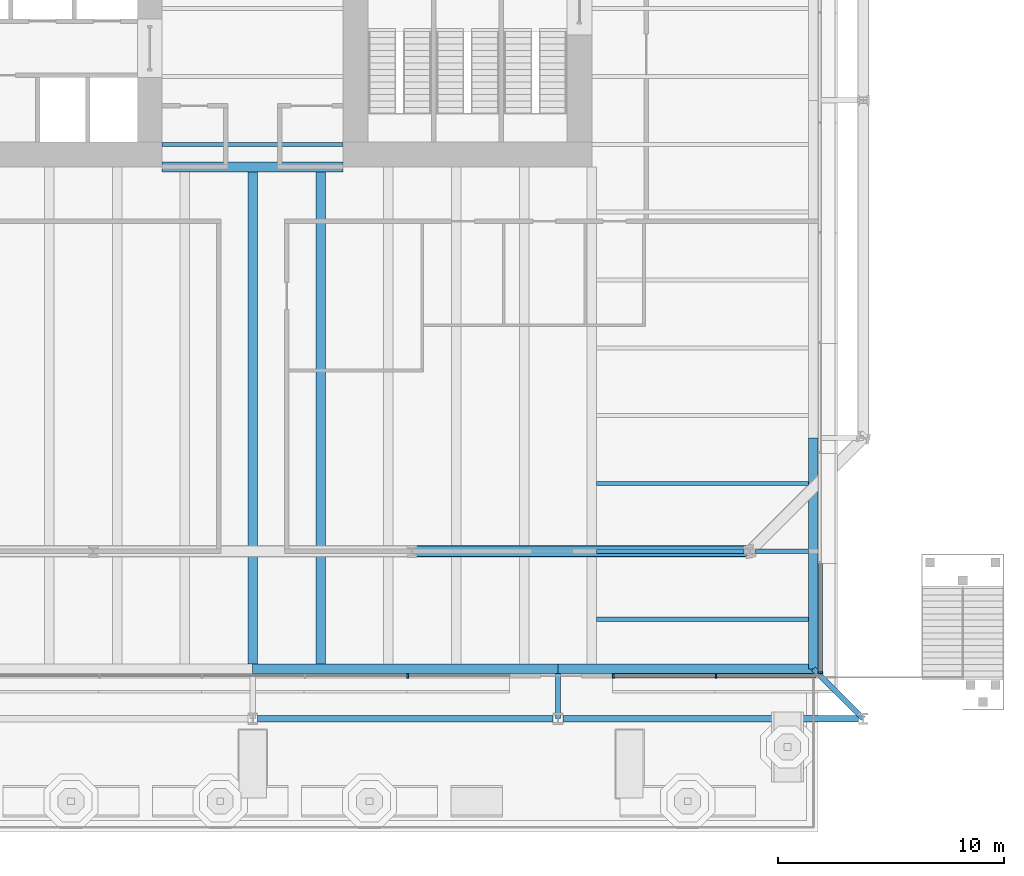
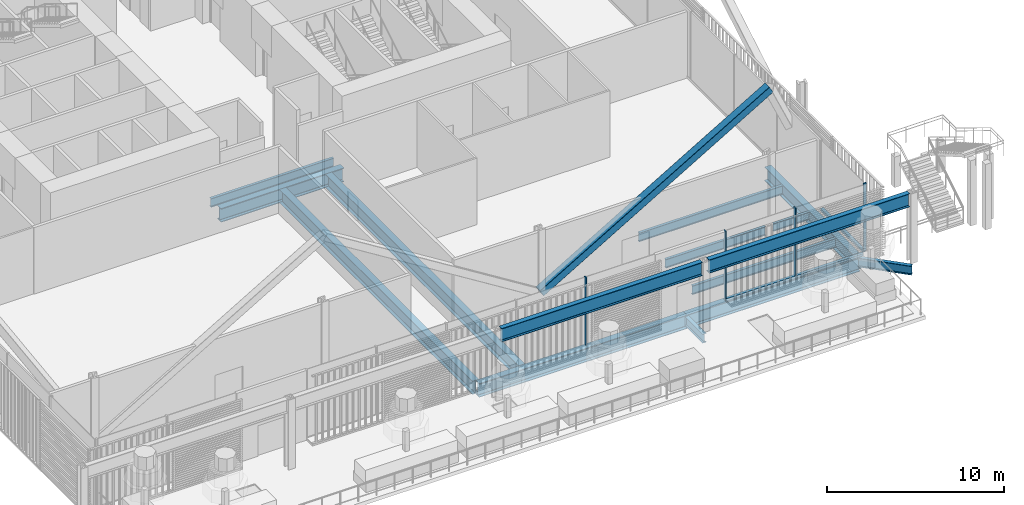
# One storey, part 5 of 26: 15 beams, 7 members, 2 elements without a shape of their own.
"""IFC4 building model written with IfcOpenShell, lengths in metres."""

from ifc_helpers import new_model, si_unit, direction, frame, origin, origin_2d, place, context, subcontext, project, spatial, rectangle, hollow_rectangle, i_section, extrude, material, layer, layer_set, material_profile, profile_set, type_object, element, aggregate, save


model = new_model("IFC4")

# Units and contexts
model_context = context("Model", 3, precision=1e-05, world=origin(), true_north=direction((0.0, 1.0)))
body_context = subcontext(model_context, "Body", "Model", "MODEL_VIEW")
ifc_project = project(units=[si_unit("LENGTHUNIT", "METRE"), si_unit("AREAUNIT", "SQUARE_METRE"), si_unit("VOLUMEUNIT", "CUBIC_METRE"), si_unit("PLANEANGLEUNIT", "RADIAN"), si_unit("MASSUNIT", "GRAM", prefix="KILO")], contexts=[model_context])

# Site, building, storey
site_placement = place(None, origin())
site = spatial("IfcSite", under=ifc_project, at=site_placement, CompositionType="ELEMENT")
building_placement = place(site_placement, origin())
building = spatial("IfcBuilding", under=site, at=building_placement, Name="Millrace Tower", CompositionType="ELEMENT")
storey_placement = place(building_placement, frame((0.0, 0.0, 11.300048828125)))
storey = spatial("IfcBuildingStorey", under=building, at=storey_placement, Name="L03", CompositionType="ELEMENT", Elevation=11.300048828125)

# Curtain wall, members
ifc_material_1 = material(Name="Aluminium and glass", Category="aluminium")
ifc_layer = layer(ifc_material_1, 0.199951171875)
ifc_layer_set = layer_set([ifc_layer], Name="Aluminium and glass")
curtain_wall_type = type_object("IfcCurtainWallType", Name="CW-6 lobby and cascade wing storefront", PredefinedType="NOTDEFINED", material=ifc_layer_set)
placement = place(storey_placement, origin())
curtain_wall_1 = element("IfcCurtainWall", 1, at=placement, inside=storey, type_object=curtain_wall_type, Name="Curtain wall AW3-F01 L03", PredefinedType="NOTDEFINED")
ifc_material_2 = material(Name="Aluminium", Category="aluminium")
ifc_material_profile_1 = material_profile(ifc_material_2, rectangle(XDim=0.074951171875, YDim=0.199951171875, at=origin_2d()))
ifc_profile_set_1 = profile_set([ifc_material_profile_1], Name="Aluminium")
member_type_1 = type_object("IfcMemberType", Name="CW-6 lobby and cascade wing storefront mullion", PredefinedType="MULLION", material=ifc_profile_set_1)
member_1_placement = place(storey_placement, frame((6.855712890625, -32.5, 0.14990234375), z_axis=(0.0, 0.0, 1.0), x_axis=(1.0, 0.0, 0.0)))
member_1 = element("IfcMember", 2, at=member_1_placement, type_object=member_type_1, Name="CW6 mullion AW3-F01.8", PredefinedType="MULLION", context=body_context, shape_type="SweptSolid", body=[
    extrude(rectangle(XDim=0.074951171875, YDim=0.199951171875, at=origin_2d()), origin(), (0.0, 0.0, 1.0), 4.650146484375),
])
member_2_placement = place(storey_placement, frame((15.946533203125, -32.5, 0.14990234375), z_axis=(0.0, 0.0, 1.0), x_axis=(1.0, 0.0, 0.0)))
member_2 = element("IfcMember", 3, at=member_2_placement, type_object=member_type_1, Name="CW6 mullion AW3-F01.10", PredefinedType="MULLION", context=body_context, shape_type="SweptSolid", body=[
    extrude(rectangle(XDim=0.074951171875, YDim=0.199951171875, at=origin_2d()), origin(), (0.0, 0.0, 1.0), 4.650146484375),
])
member_3_placement = place(storey_placement, frame((20.491943359375, -32.5, 0.14990234375), z_axis=(0.0, 0.0, 1.0), x_axis=(1.0, 0.0, 0.0)))
member_3 = element("IfcMember", 4, at=member_3_placement, type_object=member_type_1, Name="CW6 mullion AW3-F01.11", PredefinedType="MULLION", context=body_context, shape_type="SweptSolid", body=[
    extrude(rectangle(XDim=0.074951171875, YDim=0.199951171875, at=origin_2d()), origin(), (0.0, 0.0, 1.0), 4.650146484375),
])

# Curtain wall, member
curtain_wall_2 = element("IfcCurtainWall", 5, at=placement, inside=storey, type_object=curtain_wall_type, Name="Curtain wall AW3-F02 L03", PredefinedType="NOTDEFINED")
member_4_placement = place(storey_placement, frame((25.10009765625, -32.362548828125, 0.14990234375), z_axis=(0.0, 0.0, 1.0), x_axis=(0.0, 1.0, 0.0)))
member_4 = element("IfcMember", 6, at=member_4_placement, type_object=member_type_1, Name="CW6 mullion AW3-F02.1", PredefinedType="MULLION", context=body_context, shape_type="SweptSolid", body=[
    extrude(rectangle(XDim=0.074951171875, YDim=0.199951171875, at=origin_2d()), origin(), (0.0, 0.0, 1.0), 4.650146484375),
])

# Member
ifc_material_3 = material(Name="Aluminium", Category="aluminium")
ifc_material_profile_2 = material_profile(ifc_material_3, rectangle(XDim=0.199951171875, YDim=0.14990234375, at=origin_2d()))
ifc_profile_set_2 = profile_set([ifc_material_profile_2], Name="Aluminium")
member_type_2 = type_object("IfcMemberType", Name="CW-6 lobby and cascade wing storefront transom", PredefinedType="USERDEFINED", material=ifc_profile_set_2)
member_5_placement = place(storey_placement, frame((15.9091796875, -32.5, 0.074951171875), z_axis=(1.0, 0.0, 0.0), x_axis=(0.0, 1.0, 0.0)))
member_5 = element("IfcMember", 7, at=member_5_placement, type_object=member_type_2, Name="CW6 transom AW3-F01.3", ObjectType="TRANSOM", PredefinedType="USERDEFINED", context=body_context, shape_type="SweptSolid", body=[
    extrude(rectangle(XDim=0.199951171875, YDim=0.14990234375, at=origin_2d()), origin(), (0.0, 0.0, 1.0), 8.99072265625),
])

aggregate(curtain_wall_1, [member_1, member_2, member_3, member_5])

member_6_placement = place(storey_placement, frame((25.10009765625, -32.300048828125, 0.074951171875), z_axis=(0.0, 1.0, 0.0), x_axis=(-1.0, 0.0, 0.0)))
member_6 = element("IfcMember", 8, at=member_6_placement, type_object=member_type_2, Name="CW6 transom AW3-F02.1", ObjectType="TRANSOM", PredefinedType="USERDEFINED", context=body_context, shape_type="SweptSolid", body=[
    extrude(rectangle(XDim=0.199951171875, YDim=0.14990234375, at=origin_2d()), origin(), (0.0, 0.0, 1.0), 4.768310546875),
])

aggregate(curtain_wall_2, [member_4, member_6])

ifc_material_4 = material(Name="Steel ASTM A500 Grade C", Category="steel")
ifc_material_profile_3 = material_profile(ifc_material_4, hollow_rectangle(XDim=0.508056640625, YDim=0.508056640625, WallThickness=0.022216796875, InnerFilletRadius=0.01123046875, OuterFilletRadius=0.033447265625, at=origin_2d()))
ifc_profile_set_3 = profile_set([ifc_material_profile_3], Name="Steel ASTM A500 Grade C")
member_type_3 = type_object("IfcMemberType", Name="Exoskeleton brace HSS20x20x7/8", PredefinedType="BRACE", material=ifc_profile_set_3)
member_7_placement = place(storey_placement, frame((7.050048828125, -27.0, 0.39990234375), z_axis=(0.861464835883, 0.0, 0.507817227491), x_axis=(0.0, 1.0, 0.0)))
element("IfcMember", 9, at=member_7_placement, inside=storey, type_object=member_type_3, Name="BRC-A-L03-04", PredefinedType="BRACE", context=body_context, shape_type="SweptSolid", body=[
    extrude(hollow_rectangle(XDim=0.508056640625, YDim=0.508056640625, WallThickness=0.022216796875, InnerFilletRadius=0.01123046875, OuterFilletRadius=0.033447265625, at=origin_2d()), origin(), (0.0, 0.0, 1.0), 17.3291015625),
])

# Beams
ifc_material_5 = material(Name="Steel ASTM A992 Grade 50", Category="steel")
ifc_material_profile_4 = material_profile(ifc_material_5, i_section(OverallWidth=0.1650390625, OverallDepth=0.52587890625, WebThickness=0.0087890625, FlangeThickness=0.011474609375, FilletRadius=0.0126953125, at=origin_2d()))
ifc_profile_set_4 = profile_set([ifc_material_profile_4], Name="Steel ASTM A992 Grade 50")
beam_type_1 = type_object("IfcBeamType", Name="Floor beam W21x44", PredefinedType="JOIST", material=ifc_profile_set_4)
beam_1_placement = place(storey_placement, frame((22.234375, -27.0, -0.488037109375), z_axis=(1.0, 0.0, 0.0), x_axis=(0.0, 1.0, 0.0)))
element("IfcBeam", 10, at=beam_1_placement, inside=storey, type_object=beam_type_1, Name="BM-A-L03-S1-S006", PredefinedType="JOIST", context=body_context, shape_type="SweptSolid", body=[
    extrude(i_section(OverallWidth=0.1650390625, OverallDepth=0.52587890625, WebThickness=0.0087890625, FlangeThickness=0.011474609375, FilletRadius=0.0126953125, at=origin_2d()), origin(), (0.0, 0.0, 1.0), 2.343994140625),
])
ifc_material_6 = material(Name="Steel ASTM A992 Grade 50", Category="steel")
ifc_material_profile_5 = material_profile(ifc_material_6, i_section(OverallWidth=0.177978515625, OverallDepth=0.599365234375, WebThickness=0.010009765625, FlangeThickness=0.012939453125, FilletRadius=0.012939453125, at=origin_2d()))
ifc_profile_set_5 = profile_set([ifc_material_profile_5], Name="Steel ASTM A992 Grade 50")
beam_type_2 = type_object("IfcBeamType", Name="Floor beam W24x55", PredefinedType="JOIST", material=ifc_profile_set_5)
beam_2_placement = place(storey_placement, frame((15.212158203125, -27.0, -0.524658203125), z_axis=(1.0, 0.0, 0.0), x_axis=(0.0, 1.0, 0.0)))
element("IfcBeam", 11, at=beam_2_placement, inside=storey, type_object=beam_type_2, Name="BM-A-L03-S1-S005", PredefinedType="JOIST", context=body_context, shape_type="SweptSolid", body=[
    extrude(i_section(OverallWidth=0.177978515625, OverallDepth=0.599365234375, WebThickness=0.010009765625, FlangeThickness=0.012939453125, FilletRadius=0.012939453125, at=origin_2d()), origin(), (0.0, 0.0, 1.0), 6.50634765625),
])
beam_3_placement = place(storey_placement, frame((-4.0, -9.0, -0.524658203125), z_axis=(1.0, 0.0, 0.0), x_axis=(0.0, 1.0, 0.0)))
element("IfcBeam", 12, at=beam_3_placement, inside=storey, type_object=beam_type_2, Name="BM-A-L03-S1-S017", PredefinedType="JOIST", context=body_context, shape_type="SweptSolid", body=[
    extrude(i_section(OverallWidth=0.177978515625, OverallDepth=0.599365234375, WebThickness=0.010009765625, FlangeThickness=0.012939453125, FilletRadius=0.012939453125, at=origin_2d()), origin(), (0.0, 0.0, 1.0), 8.0),
])
ifc_material_7 = material(Name="Steel ASTM A992 Grade 50", Category="steel")
ifc_material_profile_6 = material_profile(ifc_material_7, i_section(OverallWidth=0.1787109375, OverallDepth=0.60205078125, WebThickness=0.010986328125, FlangeThickness=0.014892578125, FilletRadius=0.0126953125, at=origin_2d()))
ifc_profile_set_6 = profile_set([ifc_material_profile_6], Name="Steel ASTM A992 Grade 50")
beam_type_3 = type_object("IfcBeamType", Name="Floor beam W24x62", PredefinedType="JOIST", material=ifc_profile_set_6)
for number, where, z_axis, x_axis, name in (
    (13, (15.212158203125, -30.0, -0.526123046875), (1.0, 0.0, 0.0), (0.0, 1.0, 0.0), "BM-A-L03-S1-S002"),
    (14, (15.212158203125, -24.0, -0.526123046875), (1.0, 0.0, 0.0), (0.0, 1.0, 0.0), "BM-A-L03-S1-S008"),
):
    element("IfcBeam", number, at=place(storey_placement, frame(where, z_axis=z_axis, x_axis=x_axis)), inside=storey, type_object=beam_type_3, Name=name, PredefinedType="JOIST", context=body_context, shape_type="SweptSolid", body=[
        extrude(i_section(OverallWidth=0.1787109375, OverallDepth=0.60205078125, WebThickness=0.010986328125, FlangeThickness=0.014892578125, FilletRadius=0.0126953125, at=origin_2d()), origin(), (0.0, 0.0, 1.0), 9.3662109375),
    ])
ifc_material_8 = material(Name="Steel ASTM A992 Grade 50", Category="steel")
ifc_material_profile_7 = material_profile(ifc_material_8, i_section(OverallWidth=0.419189453125, OverallDepth=0.927001953125, WebThickness=0.019287109375, FlangeThickness=0.031982421875, FilletRadius=0.024169921875, at=origin_2d()))
ifc_profile_set_7 = profile_set([ifc_material_profile_7], Name="Steel ASTM A992 Grade 50")
beam_type_4 = type_object("IfcBeamType", Name="Floor beam W36x231", PredefinedType="JOIST", material=ifc_profile_set_7)
for number, where, z_axis, x_axis, name in (
    (15, (0.0, -31.978271484375, -0.688720703125), (0.0, 1.0, 0.0), (-1.0, 0.0, 0.0), "BM-A-L03-S1-S057"),
    (16, (3.0, -31.978271484375, -0.688720703125), (0.0, 1.0, 0.0), (-1.0, 0.0, 0.0), "BM-A-L03-S1-S059"),
):
    element("IfcBeam", number, at=place(storey_placement, frame(where, z_axis=z_axis, x_axis=x_axis)), inside=storey, type_object=beam_type_4, Name=name, PredefinedType="JOIST", context=body_context, shape_type="SweptSolid", body=[
        extrude(i_section(OverallWidth=0.419189453125, OverallDepth=0.927001953125, WebThickness=0.019287109375, FlangeThickness=0.031982421875, FilletRadius=0.024169921875, at=origin_2d()), origin(), (0.0, 0.0, 1.0), 21.76611328125),
    ])
ifc_material_9 = material(Name="Steel ASTM A992 Grade 50", Category="steel")
ifc_material_profile_8 = material_profile(ifc_material_9, i_section(OverallWidth=0.424072265625, OverallDepth=0.947509765625, WebThickness=0.02392578125, FlangeThickness=0.042724609375, FilletRadius=0.024169921875, at=origin_2d()))
ifc_profile_set_8 = profile_set([ifc_material_profile_8], Name="Steel ASTM A992 Grade 50")
beam_type_5 = type_object("IfcBeamType", Name="Girder short span W36x302", PredefinedType="BEAM", material=ifc_profile_set_8)
beam_4_placement = place(storey_placement, frame((-4.0, -10.0, -0.69873046875), z_axis=(1.0, 0.0, 0.0), x_axis=(0.0, 1.0, 0.0)))
element("IfcBeam", 17, at=beam_4_placement, inside=storey, type_object=beam_type_5, Name="BM-A-L03-S1-G071", PredefinedType="BEAM", context=body_context, shape_type="SweptSolid", body=[
    extrude(i_section(OverallWidth=0.424072265625, OverallDepth=0.947509765625, WebThickness=0.02392578125, FlangeThickness=0.042724609375, FilletRadius=0.024169921875, at=origin_2d()), origin(), (0.0, 0.0, 1.0), 8.0),
])
ifc_material_10 = material(Name="Steel ASTM A992 Grade 50", Category="steel")
ifc_material_profile_9 = material_profile(ifc_material_10, i_section(OverallWidth=0.23046875, OverallDepth=0.6171875, WebThickness=0.01318359375, FlangeThickness=0.022216796875, FilletRadius=0.012939453125, at=origin_2d()))
ifc_profile_set_9 = profile_set([ifc_material_profile_9], Name="Steel ASTM A992 Grade 50")
beam_type_6 = type_object("IfcBeamType", Name="Link beam W24x94", PredefinedType="BEAM", material=ifc_profile_set_9)
beam_5_placement = place(storey_placement, frame((24.7890625, -32.189208984375, -0.608642578125), z_axis=(0.707145823054, -0.707067737163, 0.0), x_axis=(0.707067737163, 0.707145823054, 0.0)))
element("IfcBeam", 18, at=beam_5_placement, inside=storey, type_object=beam_type_6, Name="LNK-A-L03-S1-14", PredefinedType="BEAM", context=body_context, shape_type="SweptSolid", body=[
    extrude(i_section(OverallWidth=0.23046875, OverallDepth=0.6171875, WebThickness=0.01318359375, FlangeThickness=0.022216796875, FilletRadius=0.012939453125, at=origin_2d()), origin(), (0.0, 0.0, 1.0), 3.12646484375),
])
beam_6_placement = place(storey_placement, frame((13.5, -32.39990234375, -0.5986328125), z_axis=(0.0, -1.0, 0.0), x_axis=(1.0, 0.0, 0.0)))
element("IfcBeam", 19, at=beam_6_placement, inside=storey, type_object=beam_type_6, Name="LNK-A-L03-S1-15", PredefinedType="BEAM", context=body_context, shape_type="SweptSolid", body=[
    extrude(i_section(OverallWidth=0.23046875, OverallDepth=0.6171875, WebThickness=0.01318359375, FlangeThickness=0.022216796875, FilletRadius=0.012939453125, at=origin_2d()), origin(), (0.0, 0.0, 1.0), 2.0),
])
ifc_material_11 = material(Name="Steel ASTM A992 Grade 50", Category="steel")
ifc_material_profile_10 = material_profile(ifc_material_11, i_section(OverallWidth=0.421630859375, OverallDepth=0.937255859375, WebThickness=0.021240234375, FlangeThickness=0.03662109375, FilletRadius=0.024169921875, at=origin_2d()))
ifc_profile_set_10 = profile_set([ifc_material_profile_10], Name="Steel ASTM A992 Grade 50")
beam_type_7 = type_object("IfcBeamType", Name="Ring beam medium span W36x262", PredefinedType="SPANDREL", material=ifc_profile_set_10)
beam_7_placement = place(storey_placement, frame((13.5, -32.189208984375, -0.693603515625), z_axis=(-1.0, 0.0, 0.0), x_axis=(0.0, -1.0, 0.0)))
element("IfcBeam", 20, at=beam_7_placement, inside=storey, type_object=beam_type_7, Name="RNG-A-L03-S1-15", PredefinedType="SPANDREL", context=body_context, shape_type="SweptSolid", body=[
    extrude(i_section(OverallWidth=0.421630859375, OverallDepth=0.937255859375, WebThickness=0.021240234375, FlangeThickness=0.03662109375, FilletRadius=0.024169921875, at=origin_2d()), origin(), (0.0, 0.0, 1.0), 13.5),
])
ifc_material_12 = material(Name="Steel ASTM A992 Grade 50", Category="steel")
ifc_material_profile_11 = material_profile(ifc_material_12, i_section(OverallWidth=0.421630859375, OverallDepth=0.937255859375, WebThickness=0.021240234375, FlangeThickness=0.03662109375, FilletRadius=0.024169921875, at=origin_2d()))
ifc_profile_set_11 = profile_set([ifc_material_profile_11], Name="Steel ASTM A992 Grade 50")
beam_type_8 = type_object("IfcBeamType", Name="Ring beam short span W36x262", PredefinedType="SPANDREL", material=ifc_profile_set_11)
beam_8_placement = place(storey_placement, frame((24.7890625, -21.978515625, -0.693603515625), z_axis=(0.0, -1.0, 0.0), x_axis=(1.0, 0.0, 0.0)))
element("IfcBeam", 21, at=beam_8_placement, inside=storey, type_object=beam_type_8, Name="RNG-A-L03-S1-13", PredefinedType="SPANDREL", context=body_context, shape_type="SweptSolid", body=[
    extrude(i_section(OverallWidth=0.421630859375, OverallDepth=0.937255859375, WebThickness=0.021240234375, FlangeThickness=0.03662109375, FilletRadius=0.024169921875, at=origin_2d()), origin(), (0.0, 0.0, 1.0), 10.210693359375),
])
beam_9_placement = place(storey_placement, frame((24.7890625, -32.189208984375, -0.693603515625), z_axis=(-1.0, 0.0, 0.0), x_axis=(0.0, -1.0, 0.0)))
element("IfcBeam", 22, at=beam_9_placement, inside=storey, type_object=beam_type_8, Name="RNG-A-L03-S1-14", PredefinedType="SPANDREL", context=body_context, shape_type="SweptSolid", body=[
    extrude(i_section(OverallWidth=0.421630859375, OverallDepth=0.937255859375, WebThickness=0.021240234375, FlangeThickness=0.03662109375, FilletRadius=0.024169921875, at=origin_2d()), origin(), (0.0, 0.0, 1.0), 11.2890625),
])
ifc_material_13 = material(Name="Steel ASTM A992 Grade 50", Category="steel")
ifc_material_profile_12 = material_profile(ifc_material_13, i_section(OverallWidth=0.307373046875, OverallDepth=0.927001953125, WebThickness=0.01953125, FlangeThickness=0.031982421875, FilletRadius=0.01904296875, at=origin_2d()))
ifc_profile_set_12 = profile_set([ifc_material_profile_12], Name="Steel ASTM A992 Grade 50")
beam_type_9 = type_object("IfcBeamType", Name="Terrace edge beam W36x194", PredefinedType="BEAM", material=ifc_profile_set_12)
for number, where, z_axis, x_axis, name in (
    (23, (0.2158203125, -34.39990234375, 4.33642578125), (1.0, 0.0, 0.0), (0.0, 1.0, 0.0), "BM-WING-L03-EDGE03"),
    (24, (13.7158203125, -34.39990234375, 4.33642578125), (1.0, 0.0, 0.0), (0.0, 1.0, 0.0), "BM-WING-L03-EDGE04"),
):
    element("IfcBeam", number, at=place(storey_placement, frame(where, z_axis=z_axis, x_axis=x_axis)), inside=storey, type_object=beam_type_9, Name=name, PredefinedType="BEAM", context=body_context, shape_type="SweptSolid", body=[
        extrude(i_section(OverallWidth=0.307373046875, OverallDepth=0.927001953125, WebThickness=0.01953125, FlangeThickness=0.031982421875, FilletRadius=0.01904296875, at=origin_2d()), origin(), (0.0, 0.0, 1.0), 13.068359375),
    ])

save(model, "model.ifc")
